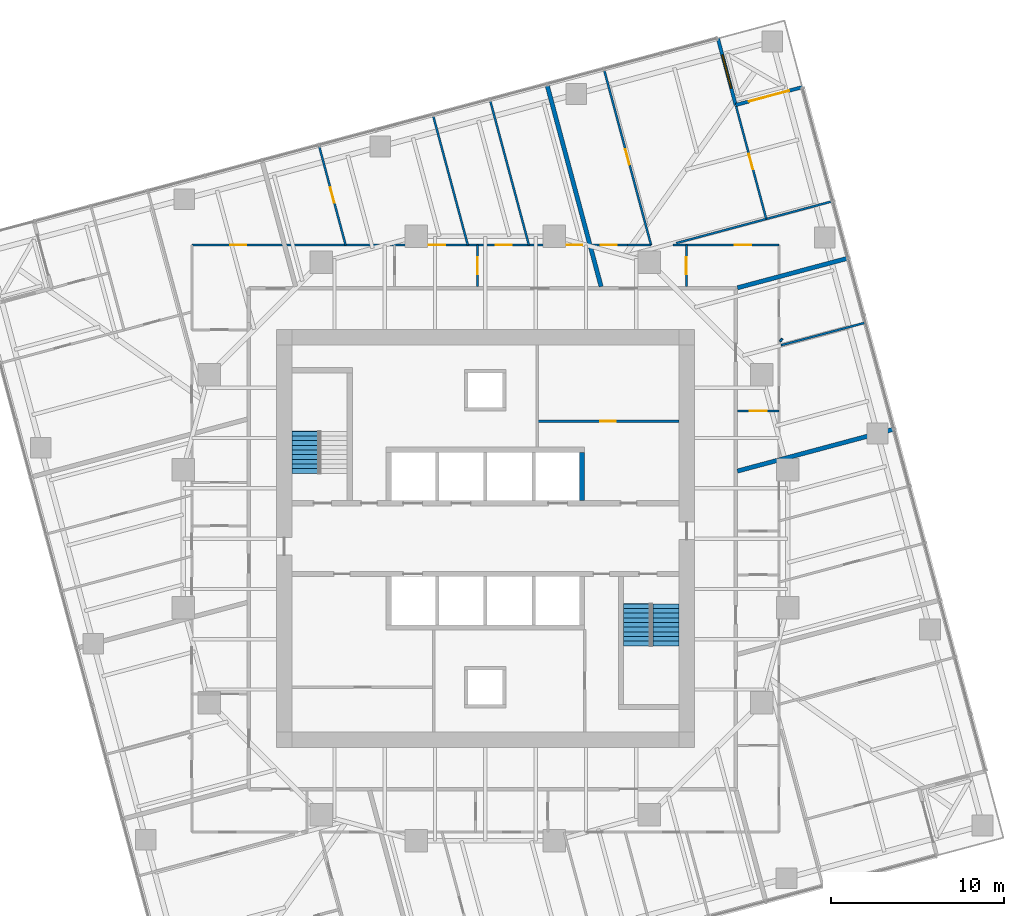
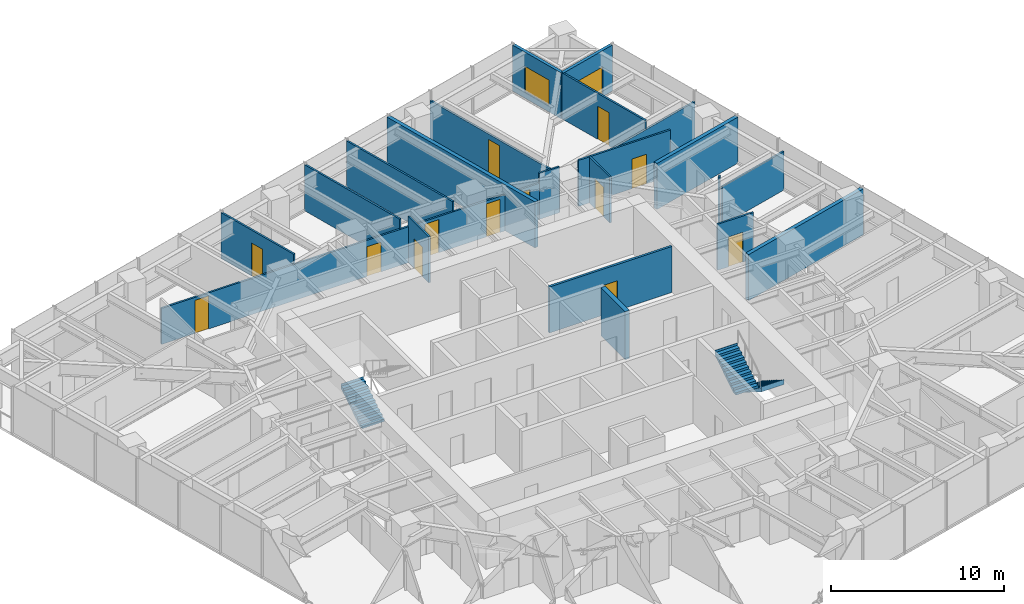
# One storey, part 12 of 14: 21 walls, 14 doors, 3 stair flights, 1 window, 15 openings, 2 elements without a shape of their own.
"""IFC4 building model written with IfcOpenShell, lengths in metres."""

import ifcopenshell
import ifcopenshell.guid

model = None  # the IFC model being written
_history = None  # IfcOwnerHistory: only IFC2X3 demands one
_inside = {}  # id of a spatial element -> (the spatial element, [elements in it])
_under = {}  # id of a project, library or spatial element -> (it, [spatial elements below it])
_declared = {}  # id of a project -> (the project, [libraries it declares])
_typed = {}  # id of a type object -> (the type object, [elements of that type])
_made_of = {}  # id of a material, layer set ... -> (it, [elements and type objects made of it])


def new_model(schema):
    """Start an empty IFC model of exactly this schema.

    Asked for "IFC4X3", IfcOpenShell would pick the latest addendum, in which some entities
    have other attributes; the version numbers below select the first issue.
    IFC2X3 requires an IfcOwnerHistory on every rooted entity: one is made here for all.
    """
    global model, _history
    if schema == "IFC4X3":
        model = ifcopenshell.file(schema_version=(4, 3, 0, 0))
    else:
        model = ifcopenshell.file(schema=schema)
    _inside.clear()
    _under.clear()
    _declared.clear()
    _typed.clear()
    _made_of.clear()
    _history = None
    if model.schema == "IFC2X3":
        org = make("IfcOrganization", Name="unknown")
        user = make(
            "IfcPersonAndOrganization",
            ThePerson=make("IfcPerson", FamilyName="unknown"),
            TheOrganization=org,
        )
        app = make(
            "IfcApplication",
            ApplicationDeveloper=org,
            Version="unknown",
            ApplicationFullName="unknown",
            ApplicationIdentifier="unknown",
        )
        _history = make(
            "IfcOwnerHistory",
            OwningUser=user,
            OwningApplication=app,
            ChangeAction="ADDED",
            CreationDate=0,
        )
    return model


def make(cls, **values):
    """One entity of the class cls with the attributes given. An attribute that is None is left unset."""
    return model.create_entity(
        cls, **{name: value for name, value in values.items() if value is not None}
    )


def rooted(cls, **values):
    """An entity with a GlobalId (a new one), such as an element, a storey or a relation."""
    return make(cls, GlobalId=ifcopenshell.guid.new(), OwnerHistory=_history, **values)


def si_unit(unit_type, name, prefix=None):
    """IfcSIUnit, for example si_unit("LENGTHUNIT", "METRE", prefix="MILLI")."""
    return make("IfcSIUnit", UnitType=unit_type, Prefix=prefix, Name=name)


def assignment(units):
    """IfcUnitAssignment: the units of a project."""
    return None if units is None else make("IfcUnitAssignment", Units=units)


def point(xyz):
    """IfcCartesianPoint."""
    return None if xyz is None else make("IfcCartesianPoint", Coordinates=xyz)


def direction(xyz):
    """IfcDirection."""
    return None if xyz is None else make("IfcDirection", DirectionRatios=xyz)


def frame(location, z_axis=None, x_axis=None):
    """IfcAxis2Placement3D, a coordinate frame: its origin and axes. An axis left out is left unset."""
    return make(
        "IfcAxis2Placement3D",
        Location=point(location),
        Axis=direction(z_axis),
        RefDirection=direction(x_axis),
    )


def frame_2d(location, x_axis=None):
    """IfcAxis2Placement2D, a coordinate frame in the plane: its origin and x axis."""
    return make(
        "IfcAxis2Placement2D", Location=point(location), RefDirection=direction(x_axis)
    )


def origin():
    """The frame at (0, 0, 0) with its axes left unset."""
    return frame((0.0, 0.0, 0.0))


def place(relative_to, where):
    """IfcLocalPlacement: puts the frame where relative to a parent placement (None: the world)."""
    return make(
        "IfcLocalPlacement", PlacementRelTo=relative_to, RelativePlacement=where
    )


def context(
    kind, dimensions, precision=None, world=None, true_north=None, identifier=None
):
    """IfcGeometricRepresentationContext, for example the 3D "Model" context."""
    return make(
        "IfcGeometricRepresentationContext",
        ContextIdentifier=identifier,
        ContextType=kind,
        CoordinateSpaceDimension=dimensions,
        Precision=precision,
        WorldCoordinateSystem=world,
        TrueNorth=true_north,
    )


def subcontext(parent, identifier, kind, view, scale=None):
    """IfcGeometricRepresentationSubContext, for example "Body" below "Model"."""
    return make(
        "IfcGeometricRepresentationSubContext",
        ContextIdentifier=identifier,
        ContextType=kind,
        ParentContext=parent,
        TargetScale=scale,
        TargetView=view,
    )


def project(units=None, contexts=None):
    """IfcProject with its units and contexts."""
    return rooted(
        "IfcProject",
        Name="project",
        RepresentationContexts=contexts,
        UnitsInContext=assignment(units),
    )


def spatial(cls, under=None, at=None, **own):
    """A site, building, storey or space (cls), placed at a placement, below another one or the project."""
    s = rooted(cls, ObjectPlacement=at, **own)
    if under is not None:
        _under.setdefault(under.id(), (under, []))[1].append(s)
    return s


def polyline(points):
    """IfcPolyline through the points."""
    return make("IfcPolyline", Points=[point(p) for p in points])


def profile(cls, at=None, kind="AREA", **sizes):
    """A parametric profile (cls). Its sizes go by their IFC names, for example OverallWidth=200.0."""
    return make(cls, ProfileType=kind, Position=at, **sizes)


def rectangle(**sizes):
    """IfcRectangleProfileDef."""
    return profile("IfcRectangleProfileDef", **sizes)


def outline(outer, holes=None, kind="AREA"):
    """IfcArbitraryClosedProfileDef: a profile drawn as a closed curve; with holes, ...WithVoids."""
    if holes is None:
        return make("IfcArbitraryClosedProfileDef", ProfileType=kind, OuterCurve=outer)
    return make(
        "IfcArbitraryProfileDefWithVoids",
        ProfileType=kind,
        OuterCurve=outer,
        InnerCurves=holes,
    )


def extrude(swept, where, along, depth):
    """IfcExtrudedAreaSolid: the profile swept, set in the frame where, extruded along a direction by depth."""
    return make(
        "IfcExtrudedAreaSolid",
        SweptArea=swept,
        Position=where,
        ExtrudedDirection=direction(along),
        Depth=depth,
    )


def shape(context_of_items, identifier, shape_type, items):
    """IfcShapeRepresentation: the items that make up one representation, for example the "Body"."""
    return make(
        "IfcShapeRepresentation",
        ContextOfItems=context_of_items,
        RepresentationIdentifier=identifier,
        RepresentationType=shape_type,
        Items=items,
    )


def material(Name=None, Category=None):
    """IfcMaterial."""
    return make("IfcMaterial", Name=Name, Category=Category)


def layer(
    of_material, thickness, ventilated=None, Name=None, Category=None, Priority=None
):
    """IfcMaterialLayer: one layer of a wall or slab, of a material (None: an air gap)."""
    return make(
        "IfcMaterialLayer",
        Material=of_material,
        LayerThickness=thickness,
        IsVentilated=ventilated,
        Name=Name,
        Category=Category,
        Priority=Priority,
    )


def layer_set(layers, Name=None):
    """IfcMaterialLayerSet."""
    return make("IfcMaterialLayerSet", MaterialLayers=layers, LayerSetName=Name)


def made_of(thing, what):
    """Note that an element or type object is made of a material, layer set ...; save() writes the relation."""
    if what is not None:
        _made_of.setdefault(what.id(), (what, []))[1].append(thing)
    return thing


def type_object(cls, material=None, **own):
    """A type object (cls), such as IfcWallType, which elements share."""
    return made_of(rooted(cls, **own), material)


def element(
    cls,
    number,
    at=None,
    inside=None,
    cuts=None,
    type_object=None,
    material=None,
    context=None,
    identifier="Body",
    shape_type=None,
    held_by="IfcProductDefinitionShape",
    body=None,
    shapes=None,
    **own,
):
    """One element of the class cls, such as IfcWall. Its Tag is "e" and its number.

    at: its placement. inside: the storey or other place that contains it. cuts: it is an
    opening in that element (IfcRelVoidsElement). A single representation is given by context,
    identifier, shape_type and body (its items); several are given by shapes. held_by: the class
    of the entity that holds the representations. save() writes the other relations.
    """
    e = rooted(cls, Tag="e%d" % number, ObjectPlacement=at, **own)
    if body is not None:
        shapes = [shape(context, identifier, shape_type, body)]
    if shapes is not None:
        e.Representation = make(held_by, Representations=shapes)
    if inside is not None:
        _inside.setdefault(inside.id(), (inside, []))[1].append(e)
    if cuts is not None:
        rooted(
            "IfcRelVoidsElement", RelatingBuildingElement=cuts, RelatedOpeningElement=e
        )
    if type_object is not None:
        _typed.setdefault(type_object.id(), (type_object, []))[1].append(e)
    return made_of(e, material)


def fill(opening, filler):
    """IfcRelFillsElement: the door or window that sits in an opening."""
    return rooted(
        "IfcRelFillsElement",
        RelatingOpeningElement=opening,
        RelatedBuildingElement=filler,
    )


def aggregate(whole, parts):
    """IfcRelAggregates: a whole, such as a stair, and the parts it consists of."""
    return rooted("IfcRelAggregates", RelatingObject=whole, RelatedObjects=parts)


def save(model, path):
    """Write the relations noted so far, then the file.

    IfcRelAggregates (storeys below a building ...), IfcRelContainedInSpatialStructure (elements
    in a storey), IfcRelDefinesByType, IfcRelAssociatesMaterial and IfcRelDeclares: one each for
    every whole, place, type object, material and project.
    """
    for whole, parts in _under.values():
        aggregate(whole, parts)
    for where, things in _inside.values():
        rooted(
            "IfcRelContainedInSpatialStructure",
            RelatedElements=things,
            RelatingStructure=where,
        )
    for kind, things in _typed.values():
        rooted("IfcRelDefinesByType", RelatedObjects=things, RelatingType=kind)
    for what, things in _made_of.values():
        rooted("IfcRelAssociatesMaterial", RelatedObjects=things, RelatingMaterial=what)
    for by, libraries in _declared.values():
        rooted("IfcRelDeclares", RelatingContext=by, RelatedDefinitions=libraries)
    model.write(path)


model = new_model("IFC4")

# Units and contexts
model_context = context("Model", 3, precision=1e-05, world=origin(), true_north=direction((0.0, 1.0)))
body_context = subcontext(model_context, "Body", "Model", "MODEL_VIEW")
ifc_project = project(units=[si_unit("LENGTHUNIT", "METRE"), si_unit("AREAUNIT", "SQUARE_METRE"), si_unit("VOLUMEUNIT", "CUBIC_METRE"), si_unit("PLANEANGLEUNIT", "RADIAN"), si_unit("MASSUNIT", "GRAM", prefix="KILO")], contexts=[model_context])

# Site, building, storey
site_placement = place(None, origin())
site = spatial("IfcSite", under=ifc_project, at=site_placement, CompositionType="ELEMENT")
building_placement = place(site_placement, origin())
building = spatial("IfcBuilding", under=site, at=building_placement, Name="Torsade Residences", CompositionType="ELEMENT")
storey_placement = place(building_placement, frame((0.0, 0.0, 111.60009765625)))
storey = spatial("IfcBuildingStorey", under=building, at=storey_placement, Name="L30", CompositionType="ELEMENT", Elevation=111.60009765625)

# Wall
ifc_material_1 = material(Name="Concrete 80 MPa", Category="concrete")
ifc_layer_1 = layer(ifc_material_1, 0.300048828125)
ifc_layer_set_1 = layer_set([ifc_layer_1], Name="Concrete 80 MPa")
wall_type_1 = type_object("IfcWallType", Name="CORE INTERNAL WALL 300", PredefinedType="SHEAR", material=ifc_layer_set_1)
wall_1_placement = place(storey_placement, frame((45.60009765625, 32.199951171875, 0.0), z_axis=(0.0, 0.0, 1.0), x_axis=(0.0, 1.0, 0.0)))
element("IfcWall", 1, at=wall_1_placement, inside=storey, type_object=wall_type_1, Name="Core wall DN4 L30", PredefinedType="SHEAR", context=body_context, shape_type="SweptSolid", body=[
    extrude(rectangle(XDim=2.800048828125, YDim=0.300048828125, at=frame_2d((1.39990234375, 0.0))), origin(), (0.0, 0.0, 1.0), 3.39990234375),
])

# Wall, opening, door
ifc_material_2 = material(Name="Plasterboard on steel stud", Category="steel")
ifc_layer_2 = layer(ifc_material_2, 0.1201171875)
ifc_layer_set_2 = layer_set([ifc_layer_2], Name="Plasterboard on steel stud")
wall_type_2 = type_object("IfcWallType", Name="PARTITION 120", PredefinedType="PARTITIONING", material=ifc_layer_set_2)
wall_2_placement = place(storey_placement, frame((57.0, 37.389892578125, 0.0), z_axis=(0.0, 0.0, 1.0), x_axis=(-1.0, 0.0, 0.0)))
wall_2 = element("IfcWall", 2, at=wall_2_placement, inside=storey, type_object=wall_type_2, Name="Partition L30", PredefinedType="PARTITIONING", context=body_context, shape_type="SweptSolid", body=[
    extrude(rectangle(XDim=2.39990234375, YDim=0.1201171875, at=frame_2d((1.199951171875, 0.0))), origin(), (0.0, 0.0, 1.0), 3.25),
])
opening_1_placement = place(wall_2_placement, frame((0.719970703125, 0.0, 0.0)))
opening_1 = element("IfcOpeningElement", 3, at=opening_1_placement, cuts=wall_2, Name="Opening D05", PredefinedType="OPENING", context=body_context, shape_type="SweptSolid", body=[
    extrude(rectangle(XDim=0.9599609375, YDim=2.10009765625, at=frame_2d((0.47998046875, 1.050048828125))), frame((0.0, 0.070068359375, 0.0), z_axis=(0.0, -1.0, 0.0), x_axis=(1.0, 0.0, 0.0)), (0.0, 0.0, 1.0), 0.14013671875),
])
ifc_material_3 = material(Name="Hollow-core timber door in a steel cavity frame", Category="steel")
door_type_1 = type_object("IfcDoorType", Name="BATHROOM CAVITY SLIDING DOOR 960", OperationType="SLIDING_TO_LEFT", PredefinedType="DOOR", material=ifc_material_3)
door_1_placement = place(opening_1_placement, origin())
door_1 = element("IfcDoor", 4, at=door_1_placement, inside=storey, type_object=door_type_1, Name="Door Kitchen and dining to Bathroom", OperationType="SLIDING_TO_LEFT", OverallHeight=2.10009765625, OverallWidth=0.9599609375, PredefinedType="DOOR", context=body_context, shape_type="SweptSolid", body=[
    extrude(rectangle(XDim=0.9599609375, YDim=2.10009765625, at=frame_2d((0.47998046875, 1.050048828125))), frame((0.0, 0.02490234375, 0.0), z_axis=(0.0, -1.0, 0.0), x_axis=(1.0, 0.0, 0.0)), (0.0, 0.0, 1.0), 0.050048828125),
])
fill(opening_1, door_1)

# Walls
wall_3_placement = place(storey_placement, frame((57.186767578125, 41.57958984375, 0.0), z_axis=(0.0, 0.0, 1.0), x_axis=(-0.609039064162, -0.793140226142, 0.0)))
element("IfcWall", 5, at=wall_3_placement, inside=storey, type_object=wall_type_2, Name="Partition L30", PredefinedType="PARTITIONING", context=body_context, shape_type="SweptSolid", body=[
    extrude(rectangle(XDim=0.2109375, YDim=0.1201171875, at=frame_2d((0.10546875, 0.0))), origin(), (0.0, 0.0, 1.0), 3.25),
])
wall_4_placement = place(storey_placement, frame((57.116455078125, 41.19482421875, 0.0), z_axis=(0.0, 0.0, 1.0), x_axis=(0.965921615375, 0.258834759935, 0.0)))
element("IfcWall", 6, at=wall_4_placement, inside=storey, type_object=wall_type_2, Name="Partition L30", PredefinedType="PARTITIONING", context=body_context, shape_type="SweptSolid", body=[
    extrude(rectangle(XDim=5.029296875, YDim=0.1201171875, at=frame_2d((2.5146484375, 0.0))), origin(), (0.0, 0.0, 1.0), 2.721923828125),
])

# Wall, opening, door
wall_5_placement = place(storey_placement, frame((51.6357421875, 47.0, 0.0), z_axis=(0.0, 0.0, 1.0), x_axis=(0.0, -1.0, 0.0)))
wall_5 = element("IfcWall", 7, at=wall_5_placement, inside=storey, type_object=wall_type_2, Name="Partition L30", PredefinedType="PARTITIONING", context=body_context, shape_type="SweptSolid", body=[
    extrude(rectangle(XDim=2.39990234375, YDim=0.1201171875, at=frame_2d((1.199951171875, 0.0))), origin(), (0.0, 0.0, 1.0), 3.25),
])
opening_2_placement = place(wall_5_placement, frame((0.719970703125, 0.0, 0.0)))
opening_2 = element("IfcOpeningElement", 8, at=opening_2_placement, cuts=wall_5, Name="Opening D05", PredefinedType="OPENING", context=body_context, shape_type="SweptSolid", body=[
    extrude(rectangle(XDim=0.9599609375, YDim=2.10009765625, at=frame_2d((0.47998046875, 1.050048828125))), frame((0.0, 0.070068359375, 0.0), z_axis=(0.0, -1.0, 0.0), x_axis=(1.0, 0.0, 0.0)), (0.0, 0.0, 1.0), 0.14013671875),
])
door_2_placement = place(opening_2_placement, origin())
door_2 = element("IfcDoor", 9, at=door_2_placement, inside=storey, type_object=door_type_1, Name="Door Kitchen and dining to Bathroom", OperationType="SLIDING_TO_LEFT", OverallHeight=2.10009765625, OverallWidth=0.9599609375, PredefinedType="DOOR", context=body_context, shape_type="SweptSolid", body=[
    extrude(rectangle(XDim=0.9599609375, YDim=2.10009765625, at=frame_2d((0.47998046875, 1.050048828125))), frame((0.0, 0.02490234375, 0.0), z_axis=(0.0, -1.0, 0.0), x_axis=(1.0, 0.0, 0.0)), (0.0, 0.0, 1.0), 0.050048828125),
])
fill(opening_2, door_2)

# Wall, openings, doors
wall_6_placement = place(storey_placement, frame((23.0, 47.0, 0.0), z_axis=(0.0, 0.0, 1.0), x_axis=(1.0, 0.0, 0.0)))
wall_6 = element("IfcWall", 10, at=wall_6_placement, inside=storey, type_object=wall_type_2, Name="Partition L30", PredefinedType="PARTITIONING", context=body_context, shape_type="SweptSolid", body=[
    extrude(rectangle(XDim=25.24072265625, YDim=0.1201171875, at=frame_2d((12.620361328125, 0.0))), origin(), (0.0, 0.0, 1.0), 2.5498046875),
])
opening_3_placement = place(wall_6_placement, frame((21.701904296875, 0.0, 0.0)))
opening_3 = element("IfcOpeningElement", 11, at=opening_3_placement, cuts=wall_6, Name="Opening D02", PredefinedType="OPENING", context=body_context, shape_type="SweptSolid", body=[
    extrude(rectangle(XDim=0.919921875, YDim=2.340087890625, at=frame_2d((0.4599609375, 1.169921875))), frame((0.0, 0.070068359375, 0.0), z_axis=(0.0, -1.0, 0.0), x_axis=(1.0, 0.0, 0.0)), (0.0, 0.0, 1.0), 0.14013671875),
])
opening_4_placement = place(wall_6_placement, frame((17.59765625, 0.0, 0.0)))
opening_4 = element("IfcOpeningElement", 12, at=opening_4_placement, cuts=wall_6, Name="Opening D02", PredefinedType="OPENING", context=body_context, shape_type="SweptSolid", body=[
    extrude(rectangle(XDim=0.919921875, YDim=2.340087890625, at=frame_2d((0.4599609375, 1.169921875))), frame((0.0, 0.070068359375, 0.0), z_axis=(0.0, -1.0, 0.0), x_axis=(1.0, 0.0, 0.0)), (0.0, 0.0, 1.0), 0.14013671875),
])
opening_5_placement = place(wall_6_placement, frame((23.688720703125, 0.0, 0.0)))
opening_5 = element("IfcOpeningElement", 13, at=opening_5_placement, cuts=wall_6, Name="Opening D02", PredefinedType="OPENING", context=body_context, shape_type="SweptSolid", body=[
    extrude(rectangle(XDim=0.919921875, YDim=2.340087890625, at=frame_2d((0.4599609375, 1.169921875))), frame((0.0, 0.070068359375, 0.0), z_axis=(0.0, -1.0, 0.0), x_axis=(1.0, 0.0, 0.0)), (0.0, 0.0, 1.0), 0.14013671875),
])
opening_6_placement = place(wall_6_placement, frame((2.225341796875, 0.0, 0.0)))
opening_6 = element("IfcOpeningElement", 14, at=opening_6_placement, cuts=wall_6, Name="Opening D02", PredefinedType="OPENING", context=body_context, shape_type="SweptSolid", body=[
    extrude(rectangle(XDim=0.919921875, YDim=2.340087890625, at=frame_2d((0.4599609375, 1.169921875))), frame((0.0, 0.070068359375, 0.0), z_axis=(0.0, -1.0, 0.0), x_axis=(1.0, 0.0, 0.0)), (0.0, 0.0, 1.0), 0.14013671875),
])
opening_7_placement = place(wall_6_placement, frame((13.709228515625, 0.0, 0.0)))
opening_7 = element("IfcOpeningElement", 15, at=opening_7_placement, cuts=wall_6, Name="Opening D05", PredefinedType="OPENING", context=body_context, shape_type="SweptSolid", body=[
    extrude(rectangle(XDim=0.9599609375, YDim=2.10009765625, at=frame_2d((0.47998046875, 1.050048828125))), frame((0.0, 0.070068359375, 0.0), z_axis=(0.0, -1.0, 0.0), x_axis=(1.0, 0.0, 0.0)), (0.0, 0.0, 1.0), 0.14013671875),
])
door_3_placement = place(opening_7_placement, origin())
door_3 = element("IfcDoor", 16, at=door_3_placement, inside=storey, type_object=door_type_1, Name="Door Ensuite to Living room", OperationType="SLIDING_TO_LEFT", OverallHeight=2.10009765625, OverallWidth=0.9599609375, PredefinedType="DOOR", context=body_context, shape_type="SweptSolid", body=[
    extrude(rectangle(XDim=0.9599609375, YDim=2.10009765625, at=frame_2d((0.47998046875, 1.050048828125))), frame((0.0, 0.02490234375, 0.0), z_axis=(0.0, -1.0, 0.0), x_axis=(1.0, 0.0, 0.0)), (0.0, 0.0, 1.0), 0.050048828125),
])
fill(opening_7, door_3)
ifc_material_4 = material(Name="Hollow-core timber door", Category="wood")
door_type_2 = type_object("IfcDoorType", Name="INTERNAL DOOR 920x2340", OperationType="NOTDEFINED", PredefinedType="DOOR", material=ifc_material_4)
door_4_placement = place(opening_3_placement, origin())
door_4 = element("IfcDoor", 17, at=door_4_placement, inside=storey, type_object=door_type_2, Name="Door Kitchen and dining to Bedroom 1", OperationType="SINGLE_SWING_LEFT", OverallHeight=2.340087890625, OverallWidth=0.919921875, PredefinedType="DOOR", context=body_context, shape_type="SweptSolid", body=[
    extrude(rectangle(XDim=0.919921875, YDim=2.340087890625, at=frame_2d((0.4599609375, 1.169921875))), frame((0.0, 0.02490234375, 0.0), z_axis=(0.0, -1.0, 0.0), x_axis=(1.0, 0.0, 0.0)), (0.0, 0.0, 1.0), 0.050048828125),
])
fill(opening_3, door_4)
door_5_placement = place(opening_4_placement, origin())
door_5 = element("IfcDoor", 18, at=door_5_placement, inside=storey, type_object=door_type_2, Name="Door Kitchen and dining to Bedroom 2", OperationType="SINGLE_SWING_RIGHT", OverallHeight=2.340087890625, OverallWidth=0.919921875, PredefinedType="DOOR", context=body_context, shape_type="SweptSolid", body=[
    extrude(rectangle(XDim=0.919921875, YDim=2.340087890625, at=frame_2d((0.4599609375, 1.169921875))), frame((0.0, 0.02490234375, 0.0), z_axis=(0.0, -1.0, 0.0), x_axis=(1.0, 0.0, 0.0)), (0.0, 0.0, 1.0), 0.050048828125),
])
fill(opening_4, door_5)
door_6_placement = place(opening_5_placement, origin())
door_6 = element("IfcDoor", 19, at=door_6_placement, inside=storey, type_object=door_type_2, Name="Door Kitchen and dining to Bedroom 1", OperationType="SINGLE_SWING_LEFT", OverallHeight=2.340087890625, OverallWidth=0.919921875, PredefinedType="DOOR", context=body_context, shape_type="SweptSolid", body=[
    extrude(rectangle(XDim=0.919921875, YDim=2.340087890625, at=frame_2d((0.4599609375, 1.169921875))), frame((0.0, 0.02490234375, 0.0), z_axis=(0.0, -1.0, 0.0), x_axis=(1.0, 0.0, 0.0)), (0.0, 0.0, 1.0), 0.050048828125),
])
fill(opening_5, door_6)
door_7_placement = place(opening_6_placement, origin())
door_7 = element("IfcDoor", 20, at=door_7_placement, inside=storey, type_object=door_type_2, Name="Door Kitchen and dining to Bedroom 1", OperationType="SINGLE_SWING_RIGHT", OverallHeight=2.340087890625, OverallWidth=0.919921875, PredefinedType="DOOR", context=body_context, shape_type="SweptSolid", body=[
    extrude(rectangle(XDim=0.919921875, YDim=2.340087890625, at=frame_2d((0.4599609375, 1.169921875))), frame((0.0, 0.02490234375, 0.0), z_axis=(0.0, -1.0, 0.0), x_axis=(1.0, 0.0, 0.0)), (0.0, 0.0, 1.0), 0.050048828125),
])
fill(opening_6, door_7)

# Wall, opening, door
wall_7_placement = place(storey_placement, frame((50.852783203125, 47.0, 0.0), z_axis=(0.0, 0.0, 1.0), x_axis=(1.0, 0.0, 0.0)))
wall_7 = element("IfcWall", 21, at=wall_7_placement, inside=storey, type_object=wall_type_2, Name="Partition L30", PredefinedType="PARTITIONING", context=body_context, shape_type="SweptSolid", body=[
    extrude(rectangle(XDim=6.147216796875, YDim=0.1201171875, at=frame_2d((3.07373046875, 0.0))), origin(), (0.0, 0.0, 1.0), 3.25),
])
opening_8_placement = place(wall_7_placement, frame((3.585205078125, 0.0, 0.0)))
opening_8 = element("IfcOpeningElement", 22, at=opening_8_placement, cuts=wall_7, Name="Opening D05", PredefinedType="OPENING", context=body_context, shape_type="SweptSolid", body=[
    extrude(rectangle(XDim=0.9599609375, YDim=2.10009765625, at=frame_2d((0.47998046875, 1.050048828125))), frame((0.0, 0.070068359375, 0.0), z_axis=(0.0, -1.0, 0.0), x_axis=(1.0, 0.0, 0.0)), (0.0, 0.0, 1.0), 0.14013671875),
])
door_8_placement = place(opening_8_placement, origin())
door_8 = element("IfcDoor", 23, at=door_8_placement, inside=storey, type_object=door_type_1, Name="Door Bathroom to Bedroom 3", OperationType="SLIDING_TO_LEFT", OverallHeight=2.10009765625, OverallWidth=0.9599609375, PredefinedType="DOOR", context=body_context, shape_type="SweptSolid", body=[
    extrude(rectangle(XDim=0.9599609375, YDim=2.10009765625, at=frame_2d((0.47998046875, 1.050048828125))), frame((0.0, 0.02490234375, 0.0), z_axis=(0.0, -1.0, 0.0), x_axis=(1.0, 0.0, 0.0)), (0.0, 0.0, 1.0), 0.050048828125),
])
fill(opening_8, door_8)

wall_8_placement = place(storey_placement, frame((49.593505859375, 47.0, 0.0), z_axis=(0.0, 0.0, 1.0), x_axis=(-0.258797552287, 0.965931585015, 0.0)))
wall_8 = element("IfcWall", 24, at=wall_8_placement, inside=storey, type_object=wall_type_2, Name="Partition L30", PredefinedType="PARTITIONING", context=body_context, shape_type="SweptSolid", body=[
    extrude(rectangle(XDim=10.522216796875, YDim=0.1201171875, at=frame_2d((5.26123046875, 0.0))), origin(), (0.0, 0.0, 1.0), 2.721923828125),
])
opening_9_placement = place(wall_8_placement, frame((4.821044921875, 0.0, 0.0)))
opening_9 = element("IfcOpeningElement", 25, at=opening_9_placement, cuts=wall_8, Name="Opening D02", PredefinedType="OPENING", context=body_context, shape_type="SweptSolid", body=[
    extrude(rectangle(XDim=0.919921875, YDim=2.340087890625, at=frame_2d((0.4599609375, 1.169921875))), frame((0.0, 0.070068359375, 0.0), z_axis=(0.0, -1.0, 0.0), x_axis=(1.0, 0.0, 0.0)), (0.0, 0.0, 1.0), 0.14013671875),
])
door_9_placement = place(opening_9_placement, origin())
door_9 = element("IfcDoor", 26, at=door_9_placement, inside=storey, type_object=door_type_2, Name="Door Bedroom 1 to Living room", OperationType="SINGLE_SWING_RIGHT", OverallHeight=2.340087890625, OverallWidth=0.919921875, PredefinedType="DOOR", context=body_context, shape_type="SweptSolid", body=[
    extrude(rectangle(XDim=0.919921875, YDim=2.340087890625, at=frame_2d((0.4599609375, 1.169921875))), frame((0.0, 0.02490234375, 0.0), z_axis=(0.0, -1.0, 0.0), x_axis=(1.0, 0.0, 0.0)), (0.0, 0.0, 1.0), 0.050048828125),
])
fill(opening_9, door_9)

wall_9_placement = place(storey_placement, frame((54.506103515625, 55.068603515625, 0.0), z_axis=(0.0, 0.0, 1.0), x_axis=(0.258830095464, -0.965922865286, 0.0)))
wall_9 = element("IfcWall", 27, at=wall_9_placement, inside=storey, type_object=wall_type_2, Name="Partition L30", PredefinedType="PARTITIONING", context=body_context, shape_type="SweptSolid", body=[
    extrude(rectangle(XDim=6.793212890625, YDim=0.1201171875, at=frame_2d((3.396484375, 0.0))), origin(), (0.0, 0.0, 1.0), 3.25),
])
opening_10_placement = place(wall_9_placement, frame((2.8916015625, 0.0, 0.0)))
opening_10 = element("IfcOpeningElement", 28, at=opening_10_placement, cuts=wall_9, Name="Opening D02", PredefinedType="OPENING", context=body_context, shape_type="SweptSolid", body=[
    extrude(rectangle(XDim=0.919921875, YDim=2.340087890625, at=frame_2d((0.4599609375, 1.169921875))), frame((0.0, 0.070068359375, 0.0), z_axis=(0.0, -1.0, 0.0), x_axis=(1.0, 0.0, 0.0)), (0.0, 0.0, 1.0), 0.14013671875),
])
door_10_placement = place(opening_10_placement, origin())
door_10 = element("IfcDoor", 29, at=door_10_placement, inside=storey, type_object=door_type_2, Name="Door Living room to Bedroom 2", OperationType="SINGLE_SWING_LEFT", OverallHeight=2.340087890625, OverallWidth=0.919921875, PredefinedType="DOOR", context=body_context, shape_type="SweptSolid", body=[
    extrude(rectangle(XDim=0.919921875, YDim=2.340087890625, at=frame_2d((0.4599609375, 1.169921875))), frame((0.0, 0.02490234375, 0.0), z_axis=(0.0, -1.0, 0.0), x_axis=(1.0, 0.0, 0.0)), (0.0, 0.0, 1.0), 0.050048828125),
])
fill(opening_10, door_10)

# Wall
wall_10_placement = place(storey_placement, frame((60.08935546875, 49.53173828125, 0.0), z_axis=(0.0, 0.0, 1.0), x_axis=(-0.965927203676, -0.25881390457, 0.0)))
element("IfcWall", 30, at=wall_10_placement, inside=storey, type_object=wall_type_2, Name="Partition L30", PredefinedType="PARTITIONING", context=body_context, shape_type="SweptSolid", body=[
    extrude(rectangle(XDim=9.356689453125, YDim=0.1201171875, at=frame_2d((4.67822265625, 0.0))), origin(), (0.0, 0.0, 1.0), 2.637939453125),
])

# Wall, opening, door
wall_11_placement = place(storey_placement, frame((39.54443359375, 44.60009765625, 0.0), z_axis=(0.0, 0.0, 1.0), x_axis=(0.0, 1.0, 0.0)))
wall_11 = element("IfcWall", 31, at=wall_11_placement, inside=storey, type_object=wall_type_2, Name="Partition L30", PredefinedType="PARTITIONING", context=body_context, shape_type="SweptSolid", body=[
    extrude(rectangle(XDim=2.39990234375, YDim=0.1201171875, at=frame_2d((1.199951171875, 0.0))), origin(), (0.0, 0.0, 1.0), 3.25),
])
opening_11_placement = place(wall_11_placement, frame((0.719970703125, 0.0, 0.0)))
opening_11 = element("IfcOpeningElement", 32, at=opening_11_placement, cuts=wall_11, Name="Opening D05", PredefinedType="OPENING", context=body_context, shape_type="SweptSolid", body=[
    extrude(rectangle(XDim=0.9599609375, YDim=2.10009765625, at=frame_2d((0.47998046875, 1.050048828125))), frame((0.0, 0.070068359375, 0.0), z_axis=(0.0, -1.0, 0.0), x_axis=(1.0, 0.0, 0.0)), (0.0, 0.0, 1.0), 0.14013671875),
])
door_11_placement = place(opening_11_placement, origin())
door_11 = element("IfcDoor", 33, at=door_11_placement, inside=storey, type_object=door_type_1, Name="Door Kitchen and dining to Ensuite", OperationType="SLIDING_TO_LEFT", OverallHeight=2.10009765625, OverallWidth=0.9599609375, PredefinedType="DOOR", context=body_context, shape_type="SweptSolid", body=[
    extrude(rectangle(XDim=0.9599609375, YDim=2.10009765625, at=frame_2d((0.47998046875, 1.050048828125))), frame((0.0, 0.02490234375, 0.0), z_axis=(0.0, -1.0, 0.0), x_axis=(1.0, 0.0, 0.0)), (0.0, 0.0, 1.0), 0.050048828125),
])
fill(opening_11, door_11)

# Wall
wall_12_placement = place(storey_placement, frame((36.969482421875, 54.5107421875, 0.0), z_axis=(0.0, 0.0, 1.0), x_axis=(0.258813509689, -0.965927309482, 0.0)))
element("IfcWall", 34, at=wall_12_placement, inside=storey, type_object=wall_type_2, Name="Partition L30", PredefinedType="PARTITIONING", context=body_context, shape_type="SweptSolid", body=[
    extrude(rectangle(XDim=7.775634765625, YDim=0.1201171875, at=frame_2d((3.8876953125, 0.0))), origin(), (0.0, 0.0, 1.0), 3.25),
])

# Wall, opening, door
wall_13_placement = place(storey_placement, frame((31.90771484375, 47.0, 0.0), z_axis=(0.0, 0.0, 1.0), x_axis=(-0.258812722515, 0.965927520399, 0.0)))
wall_13 = element("IfcWall", 35, at=wall_13_placement, inside=storey, type_object=wall_type_2, Name="Partition L30", PredefinedType="PARTITIONING", context=body_context, shape_type="SweptSolid", body=[
    extrude(rectangle(XDim=5.94482421875, YDim=0.1201171875, at=frame_2d((2.972412109375, 0.0))), origin(), (0.0, 0.0, 1.0), 3.25),
])
opening_12_placement = place(wall_13_placement, frame((2.532470703125, 0.0, 0.0)))
opening_12 = element("IfcOpeningElement", 36, at=opening_12_placement, cuts=wall_13, Name="Opening D02", PredefinedType="OPENING", context=body_context, shape_type="SweptSolid", body=[
    extrude(rectangle(XDim=0.919921875, YDim=2.340087890625, at=frame_2d((0.4599609375, 1.169921875))), frame((0.0, 0.070068359375, 0.0), z_axis=(0.0, -1.0, 0.0), x_axis=(1.0, 0.0, 0.0)), (0.0, 0.0, 1.0), 0.14013671875),
])
door_12_placement = place(opening_12_placement, origin())
door_12 = element("IfcDoor", 37, at=door_12_placement, inside=storey, type_object=door_type_2, Name="Door Living room to Bedroom 3", OperationType="SINGLE_SWING_LEFT", OverallHeight=2.340087890625, OverallWidth=0.919921875, PredefinedType="DOOR", context=body_context, shape_type="SweptSolid", body=[
    extrude(rectangle(XDim=0.919921875, YDim=2.340087890625, at=frame_2d((0.4599609375, 1.169921875))), frame((0.0, 0.02490234375, 0.0), z_axis=(0.0, -1.0, 0.0), x_axis=(1.0, 0.0, 0.0)), (0.0, 0.0, 1.0), 0.050048828125),
])
fill(opening_12, door_12)

# Walls
wall_14_placement = place(storey_placement, frame((42.519287109375, 47.0, 0.0), z_axis=(0.0, 0.0, 1.0), x_axis=(-0.258819860698, 0.965925607751, 0.0)))
element("IfcWall", 38, at=wall_14_placement, inside=storey, type_object=wall_type_2, Name="Partition L30", PredefinedType="PARTITIONING", context=body_context, shape_type="SweptSolid", body=[
    extrude(rectangle(XDim=8.69140625, YDim=0.1201171875, at=frame_2d((4.345703125, 0.0))), origin(), (0.0, 0.0, 1.0), 3.25),
])
wall_15_placement = place(storey_placement, frame((48.24072265625, 47.0, 0.0), z_axis=(0.0, 0.0, 1.0), x_axis=(1.0, 0.0, 0.0)))
element("IfcWall", 39, at=wall_15_placement, inside=storey, type_object=wall_type_2, Name="Partition L30", PredefinedType="PARTITIONING", context=body_context, shape_type="SweptSolid", body=[
    extrude(rectangle(XDim=1.352783203125, YDim=0.1201171875, at=frame_2d((0.67626953125, 0.0))), origin(), (0.0, 0.0, 1.0), 3.25),
])
ifc_material_5 = material(Name="Masonry-lined stud party wall", Category="masonry")
ifc_layer_3 = layer(ifc_material_5, 0.25)
ifc_layer_set_3 = layer_set([ifc_layer_3], Name="Masonry-lined stud party wall")
wall_type_3 = type_object("IfcWallType", Name="PARTY WALL 250", PredefinedType="PARTITIONING", material=ifc_layer_set_3)
wall_16_placement = place(storey_placement, frame((63.665283203125, 36.341064453125, 0.0), z_axis=(0.0, 0.0, 1.0), x_axis=(-0.965927049013, -0.258814481793, 0.0)))
element("IfcWall", 40, at=wall_16_placement, inside=storey, type_object=wall_type_3, Name="Party wall L30", PredefinedType="PARTITIONING", context=body_context, shape_type="SweptSolid", body=[
    extrude(rectangle(XDim=9.3916015625, YDim=0.25, at=frame_2d((4.69580078125, 0.0))), origin(), (0.0, 0.0, 1.0), 3.25),
])
wall_17_placement = place(storey_placement, frame((43.5595703125, 56.318115234375, 0.0), z_axis=(0.0, 0.0, 1.0), x_axis=(0.258824223352, -0.965924438766, 0.0)))
element("IfcWall", 41, at=wall_17_placement, inside=storey, type_object=wall_type_3, Name="Party wall L30", PredefinedType="PARTITIONING", context=body_context, shape_type="SweptSolid", body=[
    extrude(rectangle(XDim=12.137939453125, YDim=0.25, at=frame_2d((6.06884765625, 0.0))), origin(), (0.0, 0.0, 1.0), 3.25),
])
wall_18_placement = place(storey_placement, frame((61.01220703125, 46.24169921875, 0.0), z_axis=(0.0, 0.0, 1.0), x_axis=(-0.965929355837, -0.25880587229, 0.0)))
element("IfcWall", 42, at=wall_18_placement, inside=storey, type_object=wall_type_3, Name="Party wall L30", PredefinedType="PARTITIONING", context=body_context, shape_type="SweptSolid", body=[
    extrude(rectangle(XDim=6.644775390625, YDim=0.25, at=frame_2d((3.322265625, 0.0))), origin(), (0.0, 0.0, 1.0), 3.25),
])

# Wall, opening, door
ifc_material_6 = material(Name="Reinforced blockwork", Category="masonry")
ifc_layer_4 = layer(ifc_material_6, 0.14990234375)
ifc_layer_set_4 = layer_set([ifc_layer_4], Name="Reinforced blockwork")
wall_type_4 = type_object("IfcWallType", Name="SERVICE ROOM WALL 150", PredefinedType="SOLIDWALL", material=ifc_layer_set_4)
wall_19_placement = place(storey_placement, frame((43.0, 36.800048828125, 0.0), z_axis=(0.0, 0.0, 1.0), x_axis=(1.0, 0.0, 0.0)))
wall_19 = element("IfcWall", 43, at=wall_19_placement, inside=storey, type_object=wall_type_4, Name="Service room wall L30", PredefinedType="SOLIDWALL", context=body_context, shape_type="SweptSolid", body=[
    extrude(rectangle(XDim=8.199951171875, YDim=0.14990234375, at=frame_2d((4.10009765625, 0.0))), origin(), (0.0, 0.0, 1.0), 3.25),
])
opening_13_placement = place(wall_19_placement, frame((3.639892578125, 0.0, 0.0)))
opening_13 = element("IfcOpeningElement", 44, at=opening_13_placement, cuts=wall_19, Name="Opening D06", PredefinedType="OPENING", context=body_context, shape_type="SweptSolid", body=[
    extrude(rectangle(XDim=0.919921875, YDim=2.10009765625, at=frame_2d((0.4599609375, 1.050048828125))), frame((0.0, 0.0849609375, 0.0), z_axis=(0.0, -1.0, 0.0), x_axis=(1.0, 0.0, 0.0)), (0.0, 0.0, 1.0), 0.169921875),
])
ifc_material_7 = material(Name="Steel-framed fire door", Category="steel")
door_type_3 = type_object("IfcDoorType", Name="FIRE DOOR 920", OperationType="NOTDEFINED", PredefinedType="DOOR", material=ifc_material_7)
door_13_placement = place(opening_13_placement, origin())
door_13 = element("IfcDoor", 45, at=door_13_placement, inside=storey, type_object=door_type_3, Name="Door Refuse room to Recycling room", OperationType="SINGLE_SWING_LEFT", OverallHeight=2.10009765625, OverallWidth=0.919921875, PredefinedType="DOOR", context=body_context, shape_type="SweptSolid", body=[
    extrude(rectangle(XDim=0.919921875, YDim=2.10009765625, at=frame_2d((0.4599609375, 1.050048828125))), frame((0.0, 0.02490234375, 0.0), z_axis=(0.0, -1.0, 0.0), x_axis=(1.0, 0.0, 0.0)), (0.0, 0.0, 1.0), 0.050048828125),
])
fill(opening_13, door_13)

ifc_material_8 = material(Name="Stone-faced precast concrete 40 MPa panel", Category="masonry")
ifc_layer_5 = layer(ifc_material_8, 0.199951171875)
ifc_layer_set_5 = layer_set([ifc_layer_5], Name="Stone-faced precast concrete 40 MPa panel")
wall_type_5 = type_object("IfcWallType", Name="TERRACE WALL 200", PredefinedType="SOLIDWALL", material=ifc_layer_set_5)
wall_20_placement = place(storey_placement, frame((58.359375, 56.142578125, 0.0), z_axis=(0.0, 0.0, 1.0), x_axis=(-0.965919172068, -0.258843877716, 0.0)))
wall_20 = element("IfcWall", 46, at=wall_20_placement, inside=storey, type_object=wall_type_5, Name="Terrace wall L30 5", PredefinedType="SOLIDWALL", context=body_context, shape_type="SweptSolid", body=[
    extrude(rectangle(XDim=4.0, YDim=0.199951171875, at=frame_2d((2.0, 0.0))), origin(), (0.0, 0.0, 1.0), 3.25),
])
opening_14_placement = place(wall_20_placement, frame((0.800048828125, 0.0, 0.0)))
opening_14 = element("IfcOpeningElement", 47, at=opening_14_placement, cuts=wall_20, Name="Opening D10A", PredefinedType="OPENING", context=body_context, shape_type="SweptSolid", body=[
    extrude(rectangle(XDim=2.39990234375, YDim=2.10009765625, at=frame_2d((1.199951171875, 1.050048828125))), frame((0.0, 0.10986328125, 0.0), z_axis=(0.0, -1.0, 0.0), x_axis=(1.0, 0.0, 0.0)), (0.0, 0.0, 1.0), 0.219970703125),
])
ifc_material_9 = material(Name="Aluminium-framed glass door", Category="aluminium")
door_type_4 = type_object("IfcDoorType", Name="TERRACE SLIDING DOOR 2400x2100", OperationType="SLIDING_TO_LEFT", PredefinedType="DOOR", material=ifc_material_9)
door_14_placement = place(opening_14_placement, origin())
door_14 = element("IfcDoor", 48, at=door_14_placement, inside=storey, type_object=door_type_4, Name="Terrace door L30 5", OperationType="SLIDING_TO_LEFT", OverallHeight=2.10009765625, OverallWidth=2.39990234375, PredefinedType="DOOR", context=body_context, shape_type="SweptSolid", body=[
    extrude(rectangle(XDim=2.39990234375, YDim=2.10009765625, at=frame_2d((1.199951171875, 1.050048828125))), frame((0.0, 0.02490234375, 0.0), z_axis=(0.0, -1.0, 0.0), x_axis=(1.0, 0.0, 0.0)), (0.0, 0.0, 1.0), 0.050048828125),
])
fill(opening_14, door_14)

# Wall, opening, window
wall_21_placement = place(storey_placement, frame((54.49560546875, 55.107177734375, 0.0), z_axis=(0.0, 0.0, 1.0), x_axis=(-0.258786931944, 0.965934430412, 0.0)))
wall_21 = element("IfcWall", 49, at=wall_21_placement, inside=storey, type_object=wall_type_5, Name="Terrace wall L30 6", PredefinedType="SOLIDWALL", context=body_context, shape_type="SweptSolid", body=[
    extrude(rectangle(XDim=4.0, YDim=0.199951171875, at=frame_2d((2.0, 0.0))), origin(), (0.0, 0.0, 1.0), 3.25),
])
opening_15_placement = place(wall_21_placement, frame((1.0, 0.0, 0.449951171875)))
opening_15 = element("IfcOpeningElement", 50, at=opening_15_placement, cuts=wall_21, Name="Opening W1B", PredefinedType="OPENING", context=body_context, shape_type="SweptSolid", body=[
    extrude(rectangle(XDim=2.0, YDim=1.800048828125, at=frame_2d((1.0, 0.89990234375))), frame((0.0, 0.10986328125, 0.0), z_axis=(0.0, -1.0, 0.0), x_axis=(1.0, 0.0, 0.0)), (0.0, 0.0, 1.0), 0.219970703125),
])
ifc_material_10 = material(Name="Aluminium-framed glass window", Category="aluminium")
window_type = type_object("IfcWindowType", Name="TERRACE WINDOW 2000x1800", PartitioningType="SINGLE_PANEL", PredefinedType="WINDOW", material=ifc_material_10)
window_placement = place(opening_15_placement, origin())
window = element("IfcWindow", 51, at=window_placement, inside=storey, type_object=window_type, Name="Terrace window L30 6", OverallHeight=1.800048828125, OverallWidth=2.0, PartitioningType="SINGLE_PANEL", PredefinedType="WINDOW", context=body_context, shape_type="SweptSolid", body=[
    extrude(rectangle(XDim=2.0, YDim=1.800048828125, at=frame_2d((1.0, 0.89990234375))), frame((0.0, 0.030029296875, 0.0), z_axis=(0.0, -1.0, 0.0), x_axis=(1.0, 0.0, 0.0)), (0.0, 0.0, 1.0), 0.06005859375),
])
fill(opening_15, window)

# Stair, stair flight
ifc_material_11 = material(Name="Precast concrete 40 MPa", Category="concrete")
stair_type = type_object("IfcStairType", Name="HALF-TURN FIRE STAIR 1500x3400", PredefinedType="HALF_TURN_STAIR", material=ifc_material_11)
stair_1_placement = place(storey_placement, origin())
stair_1 = element("IfcStair", 52, at=stair_1_placement, inside=storey, type_object=stair_type, Name="Stair ST1 L30", PredefinedType="HALF_TURN_STAIR")
ifc_material_12 = material(Name="Precast concrete 40 MPa", Category="concrete")
stair_flight_type = type_object("IfcStairFlightType", Name="PRECAST STAIR FLIGHT 1500x1700", PredefinedType="STRAIGHT", material=ifc_material_12)
stair_flight_1_placement = place(storey_placement, frame((29.550048828125, 33.780029296875, 0.0), z_axis=(0.0, 0.0, 1.0), x_axis=(0.0, 1.0, 0.0)))
stair_flight_1 = element("IfcStairFlight", 53, at=stair_flight_1_placement, type_object=stair_flight_type, Name="ST1 flight 1", NumberOfRisers=10, NumberOfTreads=9, PredefinedType="STRAIGHT", RiserHeight=0.17, TreadLength=0.27, context=body_context, shape_type="SweptSolid", body=[
    extrude(outline(polyline([(0.0, 0.0), (0.0, 0.169921875), (0.27001953125, 0.169921875), (0.27001953125, 0.340087890625), (0.5400390625, 0.340087890625), (0.5400390625, 0.510009765625), (0.81005859375, 0.510009765625), (0.81005859375, 0.679931640625), (1.080078125, 0.679931640625), (1.080078125, 0.85009765625), (1.35009765625, 0.85009765625), (1.35009765625, 1.02001953125), (1.6201171875, 1.02001953125), (1.6201171875, 1.18994140625), (1.889892578125, 1.18994140625), (1.889892578125, 1.360107421875), (2.159912109375, 1.360107421875), (2.159912109375, 1.530029296875), (2.429931640625, 1.530029296875), (2.429931640625, 1.699951171875), (2.43994140625, 1.699951171875), (2.43994140625, 1.352783203125), (2.429931640625, 1.352783203125), (0.28125, 0.0), (0.0, 0.0)])), frame((0.0, 0.75, 0.0), z_axis=(0.0, -1.0, 0.0), x_axis=(1.0, 0.0, 0.0)), (0.0, 0.0, 1.0), 1.5),
])
aggregate(stair_1, [stair_flight_1])

# Stair, stair flights
stair_2_placement = place(storey_placement, origin())
stair_2 = element("IfcStair", 54, at=stair_2_placement, inside=storey, type_object=stair_type, Name="Stair ST2 L30", PredefinedType="HALF_TURN_STAIR")
stair_flight_2_placement = place(storey_placement, frame((50.449951171875, 26.219970703125, 0.0), z_axis=(0.0, 0.0, 1.0), x_axis=(0.0, -1.0, 0.0)))
stair_flight_2 = element("IfcStairFlight", 55, at=stair_flight_2_placement, type_object=stair_flight_type, Name="ST2 flight 1", NumberOfRisers=10, NumberOfTreads=9, PredefinedType="STRAIGHT", RiserHeight=0.17, TreadLength=0.27, context=body_context, shape_type="SweptSolid", body=[
    extrude(outline(polyline([(0.0, 0.0), (0.0, 0.169921875), (0.27001953125, 0.169921875), (0.27001953125, 0.340087890625), (0.5400390625, 0.340087890625), (0.5400390625, 0.510009765625), (0.81005859375, 0.510009765625), (0.81005859375, 0.679931640625), (1.080078125, 0.679931640625), (1.080078125, 0.85009765625), (1.35009765625, 0.85009765625), (1.35009765625, 1.02001953125), (1.6201171875, 1.02001953125), (1.6201171875, 1.18994140625), (1.889892578125, 1.18994140625), (1.889892578125, 1.360107421875), (2.159912109375, 1.360107421875), (2.159912109375, 1.530029296875), (2.429931640625, 1.530029296875), (2.429931640625, 1.699951171875), (2.43994140625, 1.699951171875), (2.43994140625, 1.352783203125), (2.429931640625, 1.352783203125), (0.28125, 0.0), (0.0, 0.0)])), frame((0.0, 0.75, 0.0), z_axis=(0.0, -1.0, 0.0), x_axis=(1.0, 0.0, 0.0)), (0.0, 0.0, 1.0), 1.5),
])
stair_flight_3_placement = place(storey_placement, frame((48.75, 23.7900390625, 1.699951171875), z_axis=(0.0, 0.0, 1.0), x_axis=(0.0, 1.0, 0.0)))
stair_flight_3 = element("IfcStairFlight", 56, at=stair_flight_3_placement, type_object=stair_flight_type, Name="ST2 flight 2", NumberOfRisers=10, NumberOfTreads=9, PredefinedType="STRAIGHT", RiserHeight=0.17, TreadLength=0.27, context=body_context, shape_type="SweptSolid", body=[
    extrude(outline(polyline([(0.0, 0.0), (0.0, 0.169921875), (0.27001953125, 0.169921875), (0.27001953125, 0.340087890625), (0.5400390625, 0.340087890625), (0.5400390625, 0.510009765625), (0.81005859375, 0.510009765625), (0.81005859375, 0.679931640625), (1.080078125, 0.679931640625), (1.080078125, 0.85009765625), (1.35009765625, 0.85009765625), (1.35009765625, 1.02001953125), (1.6201171875, 1.02001953125), (1.6201171875, 1.18994140625), (1.889892578125, 1.18994140625), (1.889892578125, 1.360107421875), (2.159912109375, 1.360107421875), (2.159912109375, 1.530029296875), (2.429931640625, 1.530029296875), (2.429931640625, 1.699951171875), (2.43994140625, 1.699951171875), (2.43994140625, 1.352783203125), (2.429931640625, 1.352783203125), (0.28125, 0.0), (0.0, 0.0)])), frame((0.0, 0.75, 0.0), z_axis=(0.0, -1.0, 0.0), x_axis=(1.0, 0.0, 0.0)), (0.0, 0.0, 1.0), 1.5),
])
aggregate(stair_2, [stair_flight_2, stair_flight_3])

save(model, "model.ifc")
